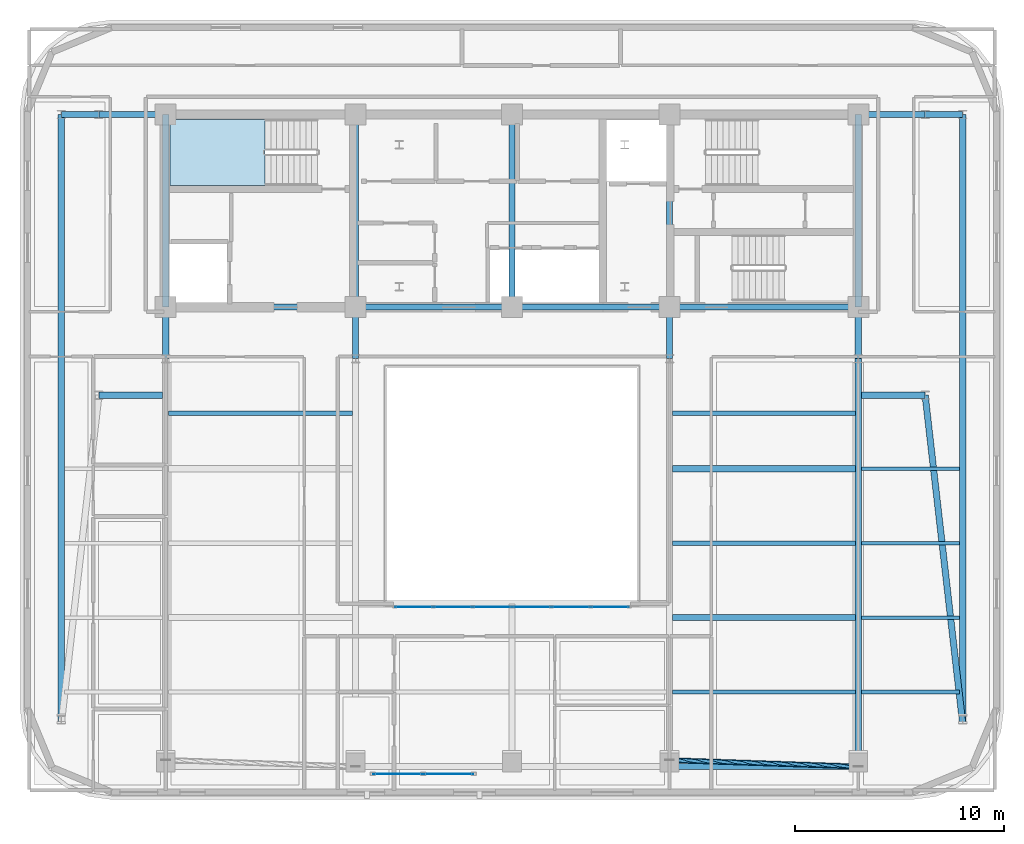
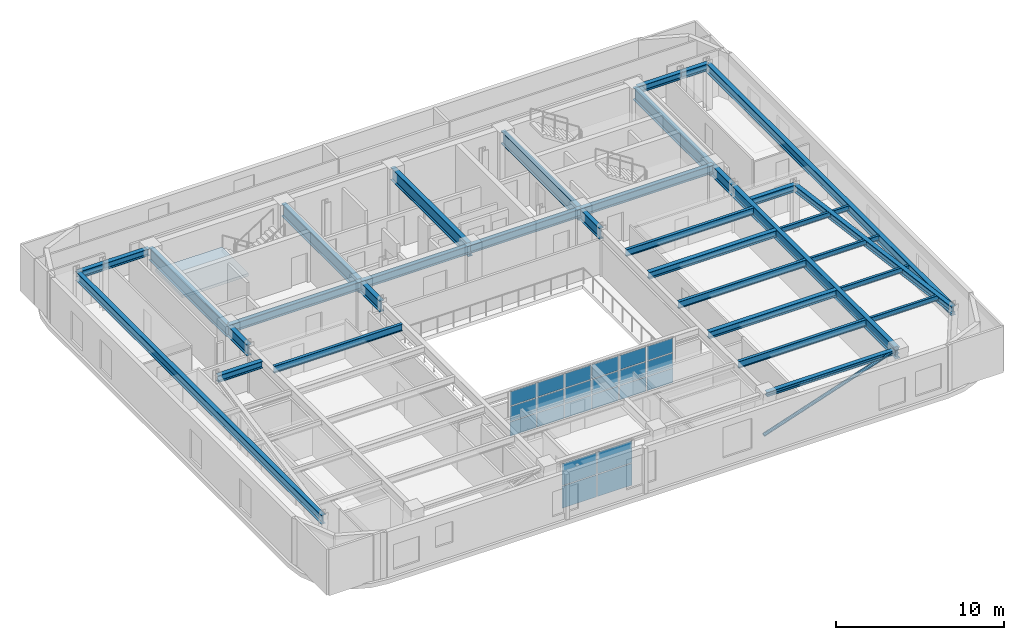
# One storey, part 3 of 14: 34 beams, 22 plates, 1 member, 1 slab, 3 elements without a shape of their own.
"""IFC4 building model written with IfcOpenShell, lengths in metres."""

from ifc_helpers import new_model, si_unit, direction, frame, origin, origin_2d, place, context, subcontext, project, spatial, polyline, rectangle, hollow_circle, i_section, outline, extrude, material, layer, layer_set, material_profile, profile_set, type_object, element, aggregate, save


model = new_model("IFC4")

# Units and contexts
model_context = context("Model", 3, precision=1e-05, world=origin(), true_north=direction((0.0, 1.0)))
body_context = subcontext(model_context, "Body", "Model", "MODEL_VIEW")
ifc_project = project(units=[si_unit("LENGTHUNIT", "METRE"), si_unit("AREAUNIT", "SQUARE_METRE"), si_unit("VOLUMEUNIT", "CUBIC_METRE"), si_unit("PLANEANGLEUNIT", "RADIAN"), si_unit("MASSUNIT", "GRAM", prefix="KILO")], contexts=[model_context])

# Site, building, storey
site_placement = place(None, origin())
site = spatial("IfcSite", under=ifc_project, at=site_placement, CompositionType="ELEMENT")
building_placement = place(site_placement, origin())
building = spatial("IfcBuilding", under=site, at=building_placement, Name="Zarnavel Station Tower", CompositionType="ELEMENT")
storey_placement = place(building_placement, frame((0.0, 0.0, 222.0)))
storey = spatial("IfcBuildingStorey", under=building, at=storey_placement, Name="L60", CompositionType="ELEMENT", Elevation=222.0)

# Member
ifc_material_1 = material(Name="Steel S355J2", Category="steel")
ifc_material_profile_1 = material_profile(ifc_material_1, hollow_circle(Radius=0.122314453125, WallThickness=0.010009765625, at=origin_2d()), Name="CHS244.5x10")
ifc_profile_set_1 = profile_set([ifc_material_profile_1], Name="Steel S355J2")
member_type = type_object("IfcMemberType", Name="DB_EXT_CHS245", PredefinedType="BRACE", material=ifc_profile_set_1)
member_placement = place(storey_placement, frame((36.35009765625, 6.1103515625, 0.0), z_axis=(0.937681259663, -0.031367345473, 0.3460779463), x_axis=(0.033433332735, 0.999440949863, 0.0)))
element("IfcMember", 1, at=member_placement, inside=storey, type_object=member_type, Name="L60 Persian Exterior Diagonal Frame Brace 2", PredefinedType="BRACE", context=body_context, shape_type="SweptSolid", body=[
    extrude(hollow_circle(Radius=0.122314453125, WallThickness=0.010009765625, at=origin_2d()), origin(), (0.0, 0.0, 1.0), 9.6513671875),
])

# Beams
ifc_material_2 = material(Name="Steel S355J2", Category="steel")
ifc_material_profile_2 = material_profile(ifc_material_2, i_section(OverallWidth=0.300048828125, OverallDepth=0.320068359375, WebThickness=0.011474609375, FlangeThickness=0.0205078125, FilletRadius=0.027099609375, at=origin_2d()), Name="HEB320")
ifc_profile_set_2 = profile_set([ifc_material_profile_2], Name="Steel S355J2")
beam_type_1 = type_object("IfcBeamType", Name="EB_HEB320", PredefinedType="SPANDREL", material=ifc_profile_set_2)
beam_1_placement = place(storey_placement, frame((36.35009765625, 5.8076171875, 3.179931640625), z_axis=(1.0, 0.0, 0.0), x_axis=(0.0, 1.0, 0.0)))
element("IfcBeam", 2, at=beam_1_placement, inside=storey, type_object=beam_type_1, Name="L60 South Raked Spandrel 4", PredefinedType="SPANDREL", context=body_context, shape_type="SweptSolid", body=[
    extrude(i_section(OverallWidth=0.300048828125, OverallDepth=0.320068359375, WebThickness=0.011474609375, FlangeThickness=0.0205078125, FilletRadius=0.027099609375, at=origin_2d()), origin(), (0.0, 0.0, 1.0), 9.0498046875),
])
ifc_material_3 = material(Name="Steel S355J2", Category="steel")
ifc_material_profile_3 = material_profile(ifc_material_3, i_section(OverallWidth=0.300048828125, OverallDepth=0.489990234375, WebThickness=0.011962890625, FlangeThickness=0.02294921875, FilletRadius=0.027099609375, at=origin_2d()), Name="HEA500")
ifc_profile_set_3 = profile_set([ifc_material_profile_3], Name="Steel S355J2")
beam_type_2 = type_object("IfcBeamType", Name="FB_HEA500", PredefinedType="BEAM", material=ifc_profile_set_3)
for number, where, z_axis, x_axis, name in (
    (3, (36.4951171875, 12.9384765625, 3.094970703125), (1.0, 0.0, 0.0), (0.0, 1.0, 0.0), "L60 East Bay Beam 2"),
    (4, (36.4951171875, 20.069091796875, 3.094970703125), (1.0, 0.0, 0.0), (0.0, 1.0, 0.0), "L60 East Bay Beam 4"),
):
    element("IfcBeam", number, at=place(storey_placement, frame(where, z_axis=z_axis, x_axis=x_axis)), inside=storey, type_object=beam_type_2, Name=name, PredefinedType="BEAM", context=body_context, shape_type="SweptSolid", body=[
        extrude(i_section(OverallWidth=0.300048828125, OverallDepth=0.489990234375, WebThickness=0.011962890625, FlangeThickness=0.02294921875, FilletRadius=0.027099609375, at=origin_2d()), origin(), (0.0, 0.0, 1.0), 8.759765625),
    ])
ifc_material_4 = material(Name="Steel S355J2", Category="steel")
ifc_material_profile_4 = material_profile(ifc_material_4, i_section(OverallWidth=0.199951171875, OverallDepth=0.5, WebThickness=0.01025390625, FlangeThickness=0.01611328125, FilletRadius=0.02099609375, at=origin_2d()), Name="IPE500")
ifc_profile_set_4 = profile_set([ifc_material_profile_4], Name="Steel S355J2")
beam_type_3 = type_object("IfcBeamType", Name="FB_IPE500", PredefinedType="BEAM", material=ifc_profile_set_4)
for number, where, z_axis, x_axis, name in (
    (5, (36.4951171875, 9.373046875, 3.090087890625), (1.0, 0.0, 0.0), (0.0, 1.0, 0.0), "L60 East Bay Beam 1"),
    (6, (36.4951171875, 16.50390625, 3.090087890625), (1.0, 0.0, 0.0), (0.0, 1.0, 0.0), "L60 East Bay Beam 3"),
):
    element("IfcBeam", number, at=place(storey_placement, frame(where, z_axis=z_axis, x_axis=x_axis)), inside=storey, type_object=beam_type_3, Name=name, PredefinedType="BEAM", context=body_context, shape_type="SweptSolid", body=[
        extrude(i_section(OverallWidth=0.199951171875, OverallDepth=0.5, WebThickness=0.01025390625, FlangeThickness=0.01611328125, FilletRadius=0.02099609375, at=origin_2d()), origin(), (0.0, 0.0, 1.0), 8.759765625),
    ])
beam_2_placement = place(storey_placement, frame((12.344970703125, 22.734619140625, 3.090087890625), z_axis=(1.0, 0.0, 0.0), x_axis=(0.0, 1.0, 0.0)))
element("IfcBeam", 7, at=beam_2_placement, inside=storey, type_object=beam_type_3, Name="L60 West Bay Beam 5", PredefinedType="BEAM", context=body_context, shape_type="SweptSolid", body=[
    extrude(i_section(OverallWidth=0.199951171875, OverallDepth=0.5, WebThickness=0.01025390625, FlangeThickness=0.01611328125, FilletRadius=0.02099609375, at=origin_2d()), origin(), (0.0, 0.0, 1.0), 8.81005859375),
])
beam_3_placement = place(storey_placement, frame((36.4951171875, 22.734619140625, 3.090087890625), z_axis=(1.0, 0.0, 0.0), x_axis=(0.0, 1.0, 0.0)))
element("IfcBeam", 8, at=beam_3_placement, inside=storey, type_object=beam_type_3, Name="L60 East Bay Beam 5", PredefinedType="BEAM", context=body_context, shape_type="SweptSolid", body=[
    extrude(i_section(OverallWidth=0.199951171875, OverallDepth=0.5, WebThickness=0.01025390625, FlangeThickness=0.01611328125, FilletRadius=0.02099609375, at=origin_2d()), origin(), (0.0, 0.0, 1.0), 8.759765625),
])
ifc_material_5 = material(Name="Steel S355J2", Category="steel")
ifc_material_profile_5 = material_profile(ifc_material_5, i_section(OverallWidth=0.300048828125, OverallDepth=0.5, WebThickness=0.014404296875, FlangeThickness=0.028076171875, FilletRadius=0.027099609375, at=origin_2d()), Name="HEB500")
ifc_profile_set_5 = profile_set([ifc_material_profile_5], Name="Steel S355J2")
beam_type_4 = type_object("IfcBeamType", Name="FG_HEB500", PredefinedType="USERDEFINED", material=ifc_profile_set_5)
beam_4_placement = place(storey_placement, frame((7.199951171875, 37.050048828125, 3.090087890625), z_axis=(1.0, 0.0, 0.0), x_axis=(0.0, 1.0, 0.0)))
element("IfcBeam", 9, at=beam_4_placement, inside=storey, type_object=beam_type_4, Name="L60 West Wing North Tie 1", ObjectType="GIRDER", PredefinedType="USERDEFINED", context=body_context, shape_type="SweptSolid", body=[
    extrude(i_section(OverallWidth=0.300048828125, OverallDepth=0.5, WebThickness=0.014404296875, FlangeThickness=0.028076171875, FilletRadius=0.027099609375, at=origin_2d()), origin(), (0.0, 0.0, 1.0), 1.800048828125),
])
for number, where, z_axis, x_axis, name in (
    (10, (9.0, 23.60009765625, 3.090087890625), (1.0, 0.0, 0.0), (0.0, 1.0, 0.0), "L60 West Wing South Tie 2"),
    (11, (9.0, 37.050048828125, 3.090087890625), (1.0, 0.0, 0.0), (0.0, 1.0, 0.0), "L60 West Wing North Tie 2"),
):
    element("IfcBeam", number, at=place(storey_placement, frame(where, z_axis=z_axis, x_axis=x_axis)), inside=storey, type_object=beam_type_4, Name=name, ObjectType="GIRDER", PredefinedType="USERDEFINED", context=body_context, shape_type="SweptSolid", body=[
        extrude(i_section(OverallWidth=0.300048828125, OverallDepth=0.5, WebThickness=0.014404296875, FlangeThickness=0.028076171875, FilletRadius=0.027099609375, at=origin_2d()), origin(), (0.0, 0.0, 1.0), 3.054931640625),
    ])
for number, where, z_axis, x_axis, name in (
    (12, (45.544921875, 23.60009765625, 3.090087890625), (1.0, 0.0, 0.0), (0.0, 1.0, 0.0), "L60 East Wing South Tie 1"),
    (13, (45.544921875, 37.050048828125, 3.090087890625), (1.0, 0.0, 0.0), (0.0, 1.0, 0.0), "L60 East Wing North Tie 1"),
):
    element("IfcBeam", number, at=place(storey_placement, frame(where, z_axis=z_axis, x_axis=x_axis)), inside=storey, type_object=beam_type_4, Name=name, ObjectType="GIRDER", PredefinedType="USERDEFINED", context=body_context, shape_type="SweptSolid", body=[
        extrude(i_section(OverallWidth=0.300048828125, OverallDepth=0.5, WebThickness=0.014404296875, FlangeThickness=0.028076171875, FilletRadius=0.027099609375, at=origin_2d()), origin(), (0.0, 0.0, 1.0), 3.05517578125),
    ])
beam_5_placement = place(storey_placement, frame((48.60009765625, 23.60009765625, 3.090087890625), z_axis=(0.11363005595, -0.993523130272, 0.0), x_axis=(0.993523130272, 0.11363005595, 0.0)))
element("IfcBeam", 14, at=beam_5_placement, inside=storey, type_object=beam_type_4, Name="L60 East Wing South Tie 2", ObjectType="GIRDER", PredefinedType="USERDEFINED", context=body_context, shape_type="SweptSolid", body=[
    extrude(i_section(OverallWidth=0.300048828125, OverallDepth=0.5, WebThickness=0.014404296875, FlangeThickness=0.028076171875, FilletRadius=0.027099609375, at=origin_2d()), origin(), (0.0, 0.0, 1.0), 15.839111328125),
])
beam_6_placement = place(storey_placement, frame((48.60009765625, 37.050048828125, 3.090087890625), z_axis=(1.0, 0.0, 0.0), x_axis=(0.0, 1.0, 0.0)))
element("IfcBeam", 15, at=beam_6_placement, inside=storey, type_object=beam_type_4, Name="L60 East Wing North Tie 2", ObjectType="GIRDER", PredefinedType="USERDEFINED", context=body_context, shape_type="SweptSolid", body=[
    extrude(i_section(OverallWidth=0.300048828125, OverallDepth=0.5, WebThickness=0.014404296875, FlangeThickness=0.028076171875, FilletRadius=0.027099609375, at=origin_2d()), origin(), (0.0, 0.0, 1.0), 1.7998046875),
])
ifc_material_6 = material(Name="Steel S355J2", Category="steel")
ifc_material_profile_6 = material_profile(ifc_material_6, i_section(OverallWidth=0.300048828125, OverallDepth=0.60009765625, WebThickness=0.015380859375, FlangeThickness=0.030029296875, FilletRadius=0.027099609375, at=origin_2d()), Name="HEB600")
ifc_profile_set_6 = profile_set([ifc_material_profile_6], Name="Steel S355J2")
beam_type_5 = type_object("IfcBeamType", Name="FG_HEB600", PredefinedType="USERDEFINED", material=ifc_profile_set_6)
beam_7_placement = place(storey_placement, frame((12.199951171875, 27.820068359375, 3.0400390625), z_axis=(1.0, 0.0, 0.0), x_axis=(0.0, 1.0, 0.0)))
element("IfcBeam", 16, at=beam_7_placement, inside=storey, type_object=beam_type_5, Name="L60 Core Front Coupling Beam 1", ObjectType="GIRDER", PredefinedType="USERDEFINED", context=body_context, shape_type="SweptSolid", body=[
    extrude(i_section(OverallWidth=0.300048828125, OverallDepth=0.60009765625, WebThickness=0.015380859375, FlangeThickness=0.030029296875, FilletRadius=0.027099609375, at=origin_2d()), origin(), (0.0, 0.0, 1.0), 9.10009765625),
])
beam_8_placement = place(storey_placement, frame((21.300048828125, 27.820068359375, 3.0400390625), z_axis=(1.0, 0.0, 0.0), x_axis=(0.0, 1.0, 0.0)))
element("IfcBeam", 17, at=beam_8_placement, inside=storey, type_object=beam_type_5, Name="L60 Core Front Coupling Beam 2", ObjectType="GIRDER", PredefinedType="USERDEFINED", context=body_context, shape_type="SweptSolid", body=[
    extrude(i_section(OverallWidth=0.300048828125, OverallDepth=0.60009765625, WebThickness=0.015380859375, FlangeThickness=0.030029296875, FilletRadius=0.027099609375, at=origin_2d()), origin(), (0.0, 0.0, 1.0), 7.5),
])
beam_9_placement = place(storey_placement, frame((28.800048828125, 27.820068359375, 3.0400390625), z_axis=(1.0, 0.0, 0.0), x_axis=(0.0, 1.0, 0.0)))
element("IfcBeam", 18, at=beam_9_placement, inside=storey, type_object=beam_type_5, Name="L60 Core Front Coupling Beam 3", ObjectType="GIRDER", PredefinedType="USERDEFINED", context=body_context, shape_type="SweptSolid", body=[
    extrude(i_section(OverallWidth=0.300048828125, OverallDepth=0.60009765625, WebThickness=0.015380859375, FlangeThickness=0.030029296875, FilletRadius=0.027099609375, at=origin_2d()), origin(), (0.0, 0.0, 1.0), 7.550048828125),
])
beam_10_placement = place(storey_placement, frame((36.35009765625, 27.820068359375, 3.0400390625), z_axis=(1.0, 0.0, 0.0), x_axis=(0.0, 1.0, 0.0)))
element("IfcBeam", 19, at=beam_10_placement, inside=storey, type_object=beam_type_5, Name="L60 Core Front Coupling Beam 4", ObjectType="GIRDER", PredefinedType="USERDEFINED", context=body_context, shape_type="SweptSolid", body=[
    extrude(i_section(OverallWidth=0.300048828125, OverallDepth=0.60009765625, WebThickness=0.015380859375, FlangeThickness=0.030029296875, FilletRadius=0.027099609375, at=origin_2d()), origin(), (0.0, 0.0, 1.0), 9.0498046875),
])
ifc_material_7 = material(Name="Steel S355J2", Category="steel")
ifc_material_profile_7 = material_profile(ifc_material_7, i_section(OverallWidth=0.300048828125, OverallDepth=0.64990234375, WebThickness=0.01611328125, FlangeThickness=0.031005859375, FilletRadius=0.027099609375, at=origin_2d()), Name="HEB650")
ifc_profile_set_7 = profile_set([ifc_material_profile_7], Name="Steel S355J2")
beam_type_6 = type_object("IfcBeamType", Name="FG_HEB650", PredefinedType="USERDEFINED", material=ifc_profile_set_7)
for number, where, z_axis, x_axis, name in (
    (20, (7.199951171875, 7.863525390625, 3.014892578125), (0.0, 1.0, 0.0), (-1.0, 0.0, 0.0), "L60 Wing NS Girder 1"),
    (21, (50.39990234375, 7.863525390625, 3.014892578125), (0.0, 1.0, 0.0), (-1.0, 0.0, 0.0), "L60 Wing NS Girder 2"),
):
    element("IfcBeam", number, at=place(storey_placement, frame(where, z_axis=z_axis, x_axis=x_axis)), inside=storey, type_object=beam_type_6, Name=name, ObjectType="GIRDER", PredefinedType="USERDEFINED", context=body_context, shape_type="SweptSolid", body=[
        extrude(i_section(OverallWidth=0.300048828125, OverallDepth=0.64990234375, WebThickness=0.01611328125, FlangeThickness=0.031005859375, FilletRadius=0.027099609375, at=origin_2d()), origin(), (0.0, 0.0, 1.0), 29.1865234375),
    ])
ifc_material_8 = material(Name="Steel S355J2", Category="steel")
ifc_material_profile_8 = material_profile(ifc_material_8, i_section(OverallWidth=0.300048828125, OverallDepth=0.800048828125, WebThickness=0.017578125, FlangeThickness=0.032958984375, FilletRadius=0.030029296875, at=origin_2d()), Name="HEB800")
ifc_profile_set_8 = profile_set([ifc_material_profile_8], Name="Steel S355J2")
beam_type_7 = type_object("IfcBeamType", Name="FG_HEB800", PredefinedType="USERDEFINED", material=ifc_profile_set_8)
for number, where, z_axis, x_axis, name in (
    (22, (12.199951171875, 25.35009765625, 2.93994140625), (0.0, 1.0, 0.0), (-1.0, 0.0, 0.0), "L60 Inner-Zone NS Girder 1"),
    (23, (21.300048828125, 25.35009765625, 2.93994140625), (0.0, 1.0, 0.0), (-1.0, 0.0, 0.0), "L60 Inner-Zone NS Girder 2"),
    (24, (36.35009765625, 25.35009765625, 2.93994140625), (0.0, 1.0, 0.0), (-1.0, 0.0, 0.0), "L60 Inner-Zone NS Girder 4"),
):
    element("IfcBeam", number, at=place(storey_placement, frame(where, z_axis=z_axis, x_axis=x_axis)), inside=storey, type_object=beam_type_7, Name=name, ObjectType="GIRDER", PredefinedType="USERDEFINED", context=body_context, shape_type="SweptSolid", body=[
        extrude(i_section(OverallWidth=0.300048828125, OverallDepth=0.800048828125, WebThickness=0.017578125, FlangeThickness=0.032958984375, FilletRadius=0.030029296875, at=origin_2d()), origin(), (0.0, 0.0, 1.0), 2.469970703125),
    ])
beam_11_placement = place(storey_placement, frame((45.39990234375, 5.8076171875, 2.93994140625), z_axis=(0.0, 1.0, 0.0), x_axis=(-1.0, 0.0, 0.0)))
element("IfcBeam", 25, at=beam_11_placement, inside=storey, type_object=beam_type_7, Name="L60 South-Zone NS Girder 5", ObjectType="GIRDER", PredefinedType="USERDEFINED", context=body_context, shape_type="SweptSolid", body=[
    extrude(i_section(OverallWidth=0.300048828125, OverallDepth=0.800048828125, WebThickness=0.017578125, FlangeThickness=0.032958984375, FilletRadius=0.030029296875, at=origin_2d()), origin(), (0.0, 0.0, 1.0), 19.54248046875),
])
beam_12_placement = place(storey_placement, frame((45.39990234375, 25.35009765625, 2.93994140625), z_axis=(0.0, 1.0, 0.0), x_axis=(-1.0, 0.0, 0.0)))
element("IfcBeam", 26, at=beam_12_placement, inside=storey, type_object=beam_type_7, Name="L60 Inner-Zone NS Girder 5", ObjectType="GIRDER", PredefinedType="USERDEFINED", context=body_context, shape_type="SweptSolid", body=[
    extrude(i_section(OverallWidth=0.300048828125, OverallDepth=0.800048828125, WebThickness=0.017578125, FlangeThickness=0.032958984375, FilletRadius=0.030029296875, at=origin_2d()), origin(), (0.0, 0.0, 1.0), 2.469970703125),
])
ifc_material_9 = material(Name="Steel S355J2", Category="steel")
ifc_material_profile_9 = material_profile(ifc_material_9, i_section(OverallWidth=0.169921875, OverallDepth=0.360107421875, WebThickness=0.008056640625, FlangeThickness=0.0126953125, FilletRadius=0.01806640625, at=origin_2d()), Name="IPE360")
ifc_profile_set_9 = profile_set([ifc_material_profile_9], Name="Steel S355J2")
beam_type_8 = type_object("IfcBeamType", Name="FJ_IPE360", PredefinedType="JOIST", material=ifc_profile_set_9)
for number, where, z_axis, x_axis, name in (
    (27, (45.544921875, 9.373046875, 3.159912109375), (1.0, 0.0, 0.0), (0.0, 1.0, 0.0), "L60 East Wing Joist 1"),
    (28, (45.544921875, 12.9384765625, 3.159912109375), (1.0, 0.0, 0.0), (0.0, 1.0, 0.0), "L60 East Wing Joist 2"),
    (29, (45.544921875, 16.50390625, 3.159912109375), (1.0, 0.0, 0.0), (0.0, 1.0, 0.0), "L60 East Wing Joist 3"),
    (30, (45.544921875, 20.069091796875, 3.159912109375), (1.0, 0.0, 0.0), (0.0, 1.0, 0.0), "L60 East Wing Joist 4"),
):
    element("IfcBeam", number, at=place(storey_placement, frame(where, z_axis=z_axis, x_axis=x_axis)), inside=storey, type_object=beam_type_8, Name=name, PredefinedType="JOIST", context=body_context, shape_type="SweptSolid", body=[
        extrude(i_section(OverallWidth=0.169921875, OverallDepth=0.360107421875, WebThickness=0.008056640625, FlangeThickness=0.0126953125, FilletRadius=0.01806640625, at=origin_2d()), origin(), (0.0, 0.0, 1.0), 4.7099609375),
    ])
ifc_material_10 = material(Name="Steel S460M", Category="steel")
ifc_material_profile_10 = material_profile(ifc_material_10, i_section(OverallWidth=0.302001953125, OverallDepth=0.909912109375, WebThickness=0.02099609375, FlangeThickness=0.0400390625, FilletRadius=0.030029296875, at=origin_2d()), Name="HEM900")
ifc_profile_set_10 = profile_set([ifc_material_profile_10], Name="Steel S460M")
beam_type_9 = type_object("IfcBeamType", Name="TG_HEM900", PredefinedType="USERDEFINED", material=ifc_profile_set_10)
for number, where, z_axis, x_axis, name in (
    (31, (12.199951171875, 27.820068359375, 2.885009765625), (0.0, 1.0, 0.0), (-1.0, 0.0, 0.0), "L60 Core Spine Coupling Girder 1"),
    (32, (21.300048828125, 27.820068359375, 2.885009765625), (0.0, 1.0, 0.0), (-1.0, 0.0, 0.0), "L60 Core Spine Coupling Girder 2"),
    (33, (28.800048828125, 27.820068359375, 2.885009765625), (0.0, 1.0, 0.0), (-1.0, 0.0, 0.0), "L60 Core Spine Coupling Girder 3"),
    (34, (36.35009765625, 27.820068359375, 2.885009765625), (0.0, 1.0, 0.0), (-1.0, 0.0, 0.0), "L60 Core Spine Coupling Girder 4"),
    (35, (45.39990234375, 27.820068359375, 2.885009765625), (0.0, 1.0, 0.0), (-1.0, 0.0, 0.0), "L60 Core Spine Coupling Girder 5"),
):
    element("IfcBeam", number, at=place(storey_placement, frame(where, z_axis=z_axis, x_axis=x_axis)), inside=storey, type_object=beam_type_9, Name=name, ObjectType="GIRDER", PredefinedType="USERDEFINED", context=body_context, shape_type="SweptSolid", body=[
        extrude(i_section(OverallWidth=0.302001953125, OverallDepth=0.909912109375, WebThickness=0.02099609375, FlangeThickness=0.0400390625, FilletRadius=0.030029296875, at=origin_2d()), origin(), (0.0, 0.0, 1.0), 9.22998046875),
    ])

# Curtain wall, plates
ifc_material_11 = material(Name="Aluminium Dark Anodised and Solar-Control Glass", Category="aluminium")
ifc_layer_1 = layer(ifc_material_11, 0.179931640625)
ifc_layer_set_1 = layer_set([ifc_layer_1], Name="CWS5")
curtain_wall_type_1 = type_object("IfcCurtainWallType", Name="CWS5", PredefinedType="NOTDEFINED", material=ifc_layer_set_1)
curtain_wall_1_placement = place(storey_placement, origin())
curtain_wall_1 = element("IfcCurtainWall", 36, at=curtain_wall_1_placement, inside=storey, type_object=curtain_wall_type_1, Name="L60 Curtain Wall CWS5-L60-AS", PredefinedType="NOTDEFINED")
ifc_material_12 = material(Name="Double Low-E Dark Solar-Control Glass", Category="glass")
ifc_layer_2 = layer(ifc_material_12, 0.033935546875)
ifc_layer_set_2 = layer_set([ifc_layer_2], Name="CWS5_PNL")
plate_type_1 = type_object("IfcPlateType", Name="CWS5_PNL", PredefinedType="CURTAIN_PANEL", material=ifc_layer_set_2)
plate_1_placement = place(storey_placement, frame((24.106689453125, 13.449951171875, 0.06005859375), z_axis=(0.0, 0.0, 1.0), x_axis=(1.0, 0.0, 0.0)))
plate_1 = element("IfcPlate", 37, at=plate_1_placement, type_object=plate_type_1, Name="CW5 panel 1.1", PredefinedType="CURTAIN_PANEL", context=body_context, shape_type="SweptSolid", body=[
    extrude(rectangle(XDim=1.793212890625, YDim=0.028076171875, at=origin_2d()), origin(), (0.0, 0.0, 1.0), 1.023193359375),
])
plate_2_placement = place(storey_placement, frame((24.106689453125, 13.449951171875, 1.14306640625), z_axis=(0.0, 0.0, 1.0), x_axis=(1.0, 0.0, 0.0)))
plate_2 = element("IfcPlate", 38, at=plate_2_placement, type_object=plate_type_1, Name="CW5 panel 1.2", PredefinedType="CURTAIN_PANEL", context=body_context, shape_type="SweptSolid", body=[
    extrude(rectangle(XDim=1.793212890625, YDim=0.028076171875, at=origin_2d()), origin(), (0.0, 0.0, 1.0), 1.053466796875),
])
plate_3_placement = place(storey_placement, frame((24.106689453125, 13.449951171875, 2.2568359375), z_axis=(0.0, 0.0, 1.0), x_axis=(1.0, 0.0, 0.0)))
plate_3 = element("IfcPlate", 39, at=plate_3_placement, type_object=plate_type_1, Name="CW5 panel 1.3", PredefinedType="CURTAIN_PANEL", context=body_context, shape_type="SweptSolid", body=[
    extrude(rectangle(XDim=1.793212890625, YDim=0.028076171875, at=origin_2d()), origin(), (0.0, 0.0, 1.0), 1.023193359375),
])
plate_4_placement = place(storey_placement, frame((25.97509765625, 13.449951171875, 0.06005859375), z_axis=(0.0, 0.0, 1.0), x_axis=(1.0, 0.0, 0.0)))
plate_4 = element("IfcPlate", 40, at=plate_4_placement, type_object=plate_type_1, Name="CW5 panel 2.1", PredefinedType="CURTAIN_PANEL", context=body_context, shape_type="SweptSolid", body=[
    extrude(rectangle(XDim=1.8232421875, YDim=0.028076171875, at=origin_2d()), origin(), (0.0, 0.0, 1.0), 1.023193359375),
])
plate_5_placement = place(storey_placement, frame((25.97509765625, 13.449951171875, 1.14306640625), z_axis=(0.0, 0.0, 1.0), x_axis=(1.0, 0.0, 0.0)))
plate_5 = element("IfcPlate", 41, at=plate_5_placement, type_object=plate_type_1, Name="CW5 panel 2.2", PredefinedType="CURTAIN_PANEL", context=body_context, shape_type="SweptSolid", body=[
    extrude(rectangle(XDim=1.8232421875, YDim=0.028076171875, at=origin_2d()), origin(), (0.0, 0.0, 1.0), 1.053466796875),
])
plate_6_placement = place(storey_placement, frame((25.97509765625, 13.449951171875, 2.2568359375), z_axis=(0.0, 0.0, 1.0), x_axis=(1.0, 0.0, 0.0)))
plate_6 = element("IfcPlate", 42, at=plate_6_placement, type_object=plate_type_1, Name="CW5 panel 2.3", PredefinedType="CURTAIN_PANEL", context=body_context, shape_type="SweptSolid", body=[
    extrude(rectangle(XDim=1.8232421875, YDim=0.028076171875, at=origin_2d()), origin(), (0.0, 0.0, 1.0), 1.023193359375),
])
plate_7_placement = place(storey_placement, frame((27.8583984375, 13.449951171875, 0.06005859375), z_axis=(0.0, 0.0, 1.0), x_axis=(1.0, 0.0, 0.0)))
plate_7 = element("IfcPlate", 43, at=plate_7_placement, type_object=plate_type_1, Name="CW5 panel 3.1", PredefinedType="CURTAIN_PANEL", context=body_context, shape_type="SweptSolid", body=[
    extrude(rectangle(XDim=1.8232421875, YDim=0.028076171875, at=origin_2d()), origin(), (0.0, 0.0, 1.0), 1.023193359375),
])
plate_8_placement = place(storey_placement, frame((27.8583984375, 13.449951171875, 1.14306640625), z_axis=(0.0, 0.0, 1.0), x_axis=(1.0, 0.0, 0.0)))
plate_8 = element("IfcPlate", 44, at=plate_8_placement, type_object=plate_type_1, Name="CW5 panel 3.2", PredefinedType="CURTAIN_PANEL", context=body_context, shape_type="SweptSolid", body=[
    extrude(rectangle(XDim=1.8232421875, YDim=0.028076171875, at=origin_2d()), origin(), (0.0, 0.0, 1.0), 1.053466796875),
])
plate_9_placement = place(storey_placement, frame((27.8583984375, 13.449951171875, 2.2568359375), z_axis=(0.0, 0.0, 1.0), x_axis=(1.0, 0.0, 0.0)))
plate_9 = element("IfcPlate", 45, at=plate_9_placement, type_object=plate_type_1, Name="CW5 panel 3.3", PredefinedType="CURTAIN_PANEL", context=body_context, shape_type="SweptSolid", body=[
    extrude(rectangle(XDim=1.8232421875, YDim=0.028076171875, at=origin_2d()), origin(), (0.0, 0.0, 1.0), 1.023193359375),
])
plate_10_placement = place(storey_placement, frame((29.74169921875, 13.449951171875, 0.06005859375), z_axis=(0.0, 0.0, 1.0), x_axis=(1.0, 0.0, 0.0)))
plate_10 = element("IfcPlate", 46, at=plate_10_placement, type_object=plate_type_1, Name="CW5 panel 4.1", PredefinedType="CURTAIN_PANEL", context=body_context, shape_type="SweptSolid", body=[
    extrude(rectangle(XDim=1.8232421875, YDim=0.028076171875, at=origin_2d()), origin(), (0.0, 0.0, 1.0), 1.023193359375),
])
plate_11_placement = place(storey_placement, frame((29.74169921875, 13.449951171875, 1.14306640625), z_axis=(0.0, 0.0, 1.0), x_axis=(1.0, 0.0, 0.0)))
plate_11 = element("IfcPlate", 47, at=plate_11_placement, type_object=plate_type_1, Name="CW5 panel 4.2", PredefinedType="CURTAIN_PANEL", context=body_context, shape_type="SweptSolid", body=[
    extrude(rectangle(XDim=1.8232421875, YDim=0.028076171875, at=origin_2d()), origin(), (0.0, 0.0, 1.0), 1.053466796875),
])
plate_12_placement = place(storey_placement, frame((29.74169921875, 13.449951171875, 2.2568359375), z_axis=(0.0, 0.0, 1.0), x_axis=(1.0, 0.0, 0.0)))
plate_12 = element("IfcPlate", 48, at=plate_12_placement, type_object=plate_type_1, Name="CW5 panel 4.3", PredefinedType="CURTAIN_PANEL", context=body_context, shape_type="SweptSolid", body=[
    extrude(rectangle(XDim=1.8232421875, YDim=0.028076171875, at=origin_2d()), origin(), (0.0, 0.0, 1.0), 1.023193359375),
])
plate_13_placement = place(storey_placement, frame((31.625, 13.449951171875, 0.06005859375), z_axis=(0.0, 0.0, 1.0), x_axis=(1.0, 0.0, 0.0)))
plate_13 = element("IfcPlate", 49, at=plate_13_placement, type_object=plate_type_1, Name="CW5 panel 5.1", PredefinedType="CURTAIN_PANEL", context=body_context, shape_type="SweptSolid", body=[
    extrude(rectangle(XDim=1.8232421875, YDim=0.028076171875, at=origin_2d()), origin(), (0.0, 0.0, 1.0), 1.023193359375),
])
plate_14_placement = place(storey_placement, frame((31.625, 13.449951171875, 1.14306640625), z_axis=(0.0, 0.0, 1.0), x_axis=(1.0, 0.0, 0.0)))
plate_14 = element("IfcPlate", 50, at=plate_14_placement, type_object=plate_type_1, Name="CW5 panel 5.2", PredefinedType="CURTAIN_PANEL", context=body_context, shape_type="SweptSolid", body=[
    extrude(rectangle(XDim=1.8232421875, YDim=0.028076171875, at=origin_2d()), origin(), (0.0, 0.0, 1.0), 1.053466796875),
])
plate_15_placement = place(storey_placement, frame((31.625, 13.449951171875, 2.2568359375), z_axis=(0.0, 0.0, 1.0), x_axis=(1.0, 0.0, 0.0)))
plate_15 = element("IfcPlate", 51, at=plate_15_placement, type_object=plate_type_1, Name="CW5 panel 5.3", PredefinedType="CURTAIN_PANEL", context=body_context, shape_type="SweptSolid", body=[
    extrude(rectangle(XDim=1.8232421875, YDim=0.028076171875, at=origin_2d()), origin(), (0.0, 0.0, 1.0), 1.023193359375),
])
plate_16_placement = place(storey_placement, frame((33.493408203125, 13.449951171875, 0.06005859375), z_axis=(0.0, 0.0, 1.0), x_axis=(1.0, 0.0, 0.0)))
plate_16 = element("IfcPlate", 52, at=plate_16_placement, type_object=plate_type_1, Name="CW5 panel 6.1", PredefinedType="CURTAIN_PANEL", context=body_context, shape_type="SweptSolid", body=[
    extrude(rectangle(XDim=1.793212890625, YDim=0.028076171875, at=origin_2d()), origin(), (0.0, 0.0, 1.0), 1.023193359375),
])
plate_17_placement = place(storey_placement, frame((33.493408203125, 13.449951171875, 1.14306640625), z_axis=(0.0, 0.0, 1.0), x_axis=(1.0, 0.0, 0.0)))
plate_17 = element("IfcPlate", 53, at=plate_17_placement, type_object=plate_type_1, Name="CW5 panel 6.2", PredefinedType="CURTAIN_PANEL", context=body_context, shape_type="SweptSolid", body=[
    extrude(rectangle(XDim=1.793212890625, YDim=0.028076171875, at=origin_2d()), origin(), (0.0, 0.0, 1.0), 1.053466796875),
])
plate_18_placement = place(storey_placement, frame((33.493408203125, 13.449951171875, 2.2568359375), z_axis=(0.0, 0.0, 1.0), x_axis=(1.0, 0.0, 0.0)))
plate_18 = element("IfcPlate", 54, at=plate_18_placement, type_object=plate_type_1, Name="CW5 panel 6.3", PredefinedType="CURTAIN_PANEL", context=body_context, shape_type="SweptSolid", body=[
    extrude(rectangle(XDim=1.793212890625, YDim=0.028076171875, at=origin_2d()), origin(), (0.0, 0.0, 1.0), 1.023193359375),
])
aggregate(curtain_wall_1, [plate_1, plate_2, plate_3, plate_4, plate_5, plate_6, plate_7, plate_8, plate_9, plate_10, plate_11, plate_12, plate_13, plate_14, plate_15, plate_16, plate_17, plate_18])

ifc_material_13 = material(Name="Aluminium Dark Anodised and Solar-Control Glass", Category="aluminium")
ifc_layer_3 = layer(ifc_material_13, 0.179931640625)
ifc_layer_set_3 = layer_set([ifc_layer_3], Name="CWS6")
curtain_wall_type_2 = type_object("IfcCurtainWallType", Name="CWS6", PredefinedType="NOTDEFINED", material=ifc_layer_set_3)
curtain_wall_2_placement = place(storey_placement, origin())
curtain_wall_2 = element("IfcCurtainWall", 55, at=curtain_wall_2_placement, inside=storey, type_object=curtain_wall_type_2, Name="L60 Curtain Wall CWS6-LOG-L60", PredefinedType="NOTDEFINED")
ifc_material_14 = material(Name="Double Low-E Dark Solar-Control Glass", Category="glass")
ifc_layer_4 = layer(ifc_material_14, 0.0380859375)
ifc_layer_set_4 = layer_set([ifc_layer_4], Name="CWS6_PNL")
plate_type_2 = type_object("IfcPlateType", Name="CWS6_PNL", PredefinedType="CURTAIN_PANEL", material=ifc_layer_set_4)
plate_19_placement = place(storey_placement, frame((23.340087890625, 5.449951171875, 0.06005859375), z_axis=(0.0, 0.0, 1.0), x_axis=(1.0, 0.0, 0.0)))
plate_19 = element("IfcPlate", 56, at=plate_19_placement, type_object=plate_type_2, Name="CW6 panel 1.1", PredefinedType="CURTAIN_PANEL", context=body_context, shape_type="SweptSolid", body=[
    extrude(rectangle(XDim=2.360107421875, YDim=0.028076171875, at=origin_2d()), origin(), (0.0, 0.0, 1.0), 1.580078125),
])
plate_20_placement = place(storey_placement, frame((23.340087890625, 5.449951171875, 1.699951171875), z_axis=(0.0, 0.0, 1.0), x_axis=(1.0, 0.0, 0.0)))
plate_20 = element("IfcPlate", 57, at=plate_20_placement, type_object=plate_type_2, Name="CW6 panel 1.2", PredefinedType="CURTAIN_PANEL", context=body_context, shape_type="SweptSolid", body=[
    extrude(rectangle(XDim=2.360107421875, YDim=0.028076171875, at=origin_2d()), origin(), (0.0, 0.0, 1.0), 1.580078125),
])
plate_21_placement = place(storey_placement, frame((25.760009765625, 5.449951171875, 0.06005859375), z_axis=(0.0, 0.0, 1.0), x_axis=(1.0, 0.0, 0.0)))
plate_21 = element("IfcPlate", 58, at=plate_21_placement, type_object=plate_type_2, Name="CW6 panel 2.1", PredefinedType="CURTAIN_PANEL", context=body_context, shape_type="SweptSolid", body=[
    extrude(rectangle(XDim=2.360107421875, YDim=0.028076171875, at=origin_2d()), origin(), (0.0, 0.0, 1.0), 1.580078125),
])
plate_22_placement = place(storey_placement, frame((25.760009765625, 5.449951171875, 1.699951171875), z_axis=(0.0, 0.0, 1.0), x_axis=(1.0, 0.0, 0.0)))
plate_22 = element("IfcPlate", 59, at=plate_22_placement, type_object=plate_type_2, Name="CW6 panel 2.2", PredefinedType="CURTAIN_PANEL", context=body_context, shape_type="SweptSolid", body=[
    extrude(rectangle(XDim=2.360107421875, YDim=0.028076171875, at=origin_2d()), origin(), (0.0, 0.0, 1.0), 1.580078125),
])
aggregate(curtain_wall_2, [plate_19, plate_20, plate_21, plate_22])

# Stair, slab
ifc_material_15 = material(Name="Concrete C45/55", Category="concrete")
stair_type = type_object("IfcStairType", Name="ST_CORE_150", PredefinedType="HALF_TURN_STAIR", material=ifc_material_15)
stair_placement = place(storey_placement, origin())
stair = element("IfcStair", 60, at=stair_placement, inside=storey, type_object=stair_type, Name="L60 Core Exit Stair ST1", PredefinedType="HALF_TURN_STAIR")
ifc_material_16 = material(Name="Concrete C45/55", Category="concrete")
ifc_layer_5 = layer(ifc_material_16, 0.199951171875)
ifc_layer_set_5 = layer_set([ifc_layer_5], Name="SL_STAIR_LAND_200")
slab_type = type_object("IfcSlabType", Name="SL_STAIR_LAND_200", PredefinedType="LANDING", material=ifc_layer_set_5)
slab_placement = place(storey_placement, frame((0.0, 0.0, 1.60009765625)))
slab = element("IfcSlab", 61, at=slab_placement, type_object=slab_type, Name="ST1 landing 1", PredefinedType="LANDING", context=body_context, shape_type="SweptSolid", body=[
    extrude(outline(polyline([(16.9599609375, 36.820068359375), (12.39990234375, 36.820068359375), (12.39990234375, 33.659912109375), (16.9599609375, 33.659912109375), (16.9599609375, 36.820068359375)])), origin(), (0.0, 0.0, 1.0), 0.199951171875),
])
aggregate(stair, [slab])

save(model, "model.ifc")
